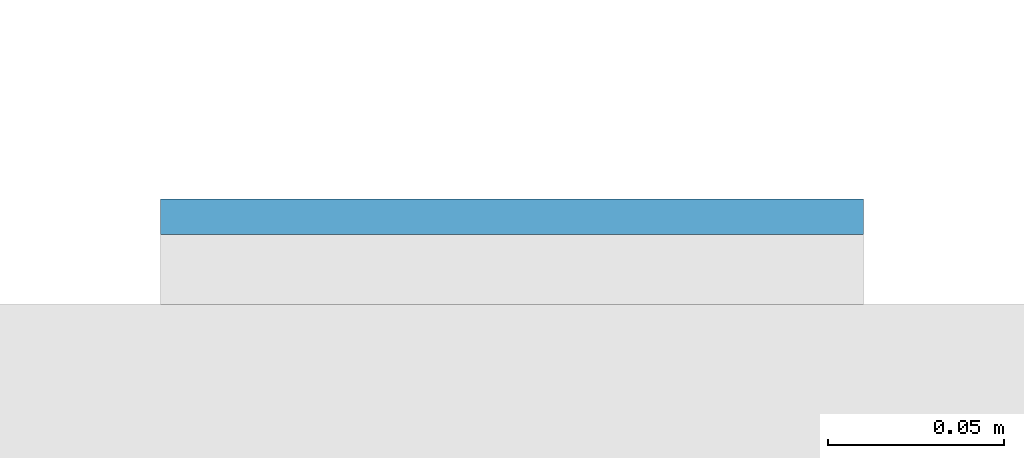
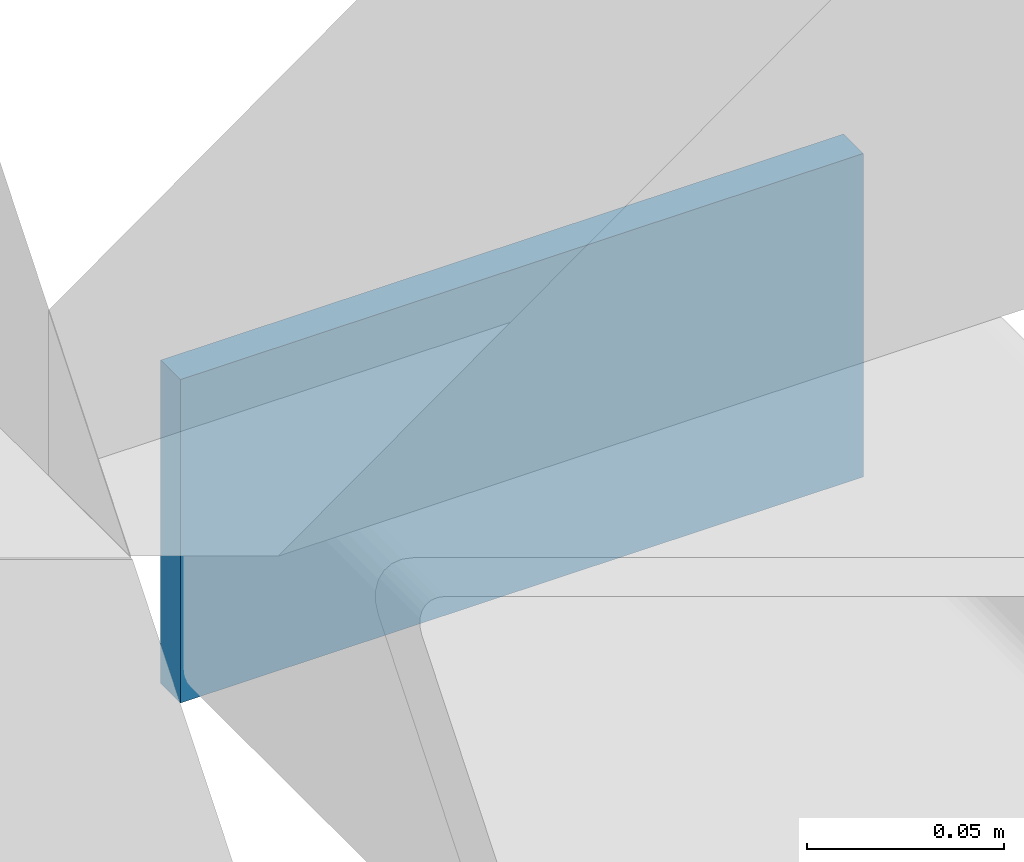
# One storey, part 11 of 20: 1 plate.
"""IFC4 building model written with IfcOpenShell, lengths in metres."""

import ifcopenshell
import ifcopenshell.guid

model = None  # the IFC model being written
_history = None  # IfcOwnerHistory: only IFC2X3 demands one
_inside = {}  # id of a spatial element -> (the spatial element, [elements in it])
_under = {}  # id of a project, library or spatial element -> (it, [spatial elements below it])
_declared = {}  # id of a project -> (the project, [libraries it declares])
_typed = {}  # id of a type object -> (the type object, [elements of that type])
_made_of = {}  # id of a material, layer set ... -> (it, [elements and type objects made of it])


def new_model(schema):
    """Start an empty IFC model of exactly this schema.

    Asked for "IFC4X3", IfcOpenShell would pick the latest addendum, in which some entities
    have other attributes; the version numbers below select the first issue.
    IFC2X3 requires an IfcOwnerHistory on every rooted entity: one is made here for all.
    """
    global model, _history
    if schema == "IFC4X3":
        model = ifcopenshell.file(schema_version=(4, 3, 0, 0))
    else:
        model = ifcopenshell.file(schema=schema)
    _inside.clear()
    _under.clear()
    _declared.clear()
    _typed.clear()
    _made_of.clear()
    _history = None
    if model.schema == "IFC2X3":
        org = make("IfcOrganization", Name="unknown")
        user = make(
            "IfcPersonAndOrganization",
            ThePerson=make("IfcPerson", FamilyName="unknown"),
            TheOrganization=org,
        )
        app = make(
            "IfcApplication",
            ApplicationDeveloper=org,
            Version="unknown",
            ApplicationFullName="unknown",
            ApplicationIdentifier="unknown",
        )
        _history = make(
            "IfcOwnerHistory",
            OwningUser=user,
            OwningApplication=app,
            ChangeAction="ADDED",
            CreationDate=0,
        )
    return model


def make(cls, **values):
    """One entity of the class cls with the attributes given. An attribute that is None is left unset."""
    return model.create_entity(
        cls, **{name: value for name, value in values.items() if value is not None}
    )


def rooted(cls, **values):
    """An entity with a GlobalId (a new one), such as an element, a storey or a relation."""
    return make(cls, GlobalId=ifcopenshell.guid.new(), OwnerHistory=_history, **values)


def si_unit(unit_type, name, prefix=None):
    """IfcSIUnit, for example si_unit("LENGTHUNIT", "METRE", prefix="MILLI")."""
    return make("IfcSIUnit", UnitType=unit_type, Prefix=prefix, Name=name)


def assignment(units):
    """IfcUnitAssignment: the units of a project."""
    return None if units is None else make("IfcUnitAssignment", Units=units)


def point(xyz):
    """IfcCartesianPoint."""
    return None if xyz is None else make("IfcCartesianPoint", Coordinates=xyz)


def direction(xyz):
    """IfcDirection."""
    return None if xyz is None else make("IfcDirection", DirectionRatios=xyz)


def frame(location, z_axis=None, x_axis=None):
    """IfcAxis2Placement3D, a coordinate frame: its origin and axes. An axis left out is left unset."""
    return make(
        "IfcAxis2Placement3D",
        Location=point(location),
        Axis=direction(z_axis),
        RefDirection=direction(x_axis),
    )


def frame_2d(location, x_axis=None):
    """IfcAxis2Placement2D, a coordinate frame in the plane: its origin and x axis."""
    return make(
        "IfcAxis2Placement2D", Location=point(location), RefDirection=direction(x_axis)
    )


def origin():
    """The frame at (0, 0, 0) with its axes left unset."""
    return frame((0.0, 0.0, 0.0))


def origin_2d():
    """The frame at (0, 0) in the plane with its x axis left unset."""
    return frame_2d((0.0, 0.0))


def place(relative_to, where):
    """IfcLocalPlacement: puts the frame where relative to a parent placement (None: the world)."""
    return make(
        "IfcLocalPlacement", PlacementRelTo=relative_to, RelativePlacement=where
    )


def context(
    kind, dimensions, precision=None, world=None, true_north=None, identifier=None
):
    """IfcGeometricRepresentationContext, for example the 3D "Model" context."""
    return make(
        "IfcGeometricRepresentationContext",
        ContextIdentifier=identifier,
        ContextType=kind,
        CoordinateSpaceDimension=dimensions,
        Precision=precision,
        WorldCoordinateSystem=world,
        TrueNorth=true_north,
    )


def subcontext(parent, identifier, kind, view, scale=None):
    """IfcGeometricRepresentationSubContext, for example "Body" below "Model"."""
    return make(
        "IfcGeometricRepresentationSubContext",
        ContextIdentifier=identifier,
        ContextType=kind,
        ParentContext=parent,
        TargetScale=scale,
        TargetView=view,
    )


def project(units=None, contexts=None):
    """IfcProject with its units and contexts."""
    return rooted(
        "IfcProject",
        Name="project",
        RepresentationContexts=contexts,
        UnitsInContext=assignment(units),
    )


def spatial(cls, under=None, at=None, **own):
    """A site, building, storey or space (cls), placed at a placement, below another one or the project."""
    s = rooted(cls, ObjectPlacement=at, **own)
    if under is not None:
        _under.setdefault(under.id(), (under, []))[1].append(s)
    return s


def profile(cls, at=None, kind="AREA", **sizes):
    """A parametric profile (cls). Its sizes go by their IFC names, for example OverallWidth=200.0."""
    return make(cls, ProfileType=kind, Position=at, **sizes)


def rectangle(**sizes):
    """IfcRectangleProfileDef."""
    return profile("IfcRectangleProfileDef", **sizes)


def extrude(swept, where, along, depth):
    """IfcExtrudedAreaSolid: the profile swept, set in the frame where, extruded along a direction by depth."""
    return make(
        "IfcExtrudedAreaSolid",
        SweptArea=swept,
        Position=where,
        ExtrudedDirection=direction(along),
        Depth=depth,
    )


def shape(context_of_items, identifier, shape_type, items):
    """IfcShapeRepresentation: the items that make up one representation, for example the "Body"."""
    return make(
        "IfcShapeRepresentation",
        ContextOfItems=context_of_items,
        RepresentationIdentifier=identifier,
        RepresentationType=shape_type,
        Items=items,
    )


def material(Name=None, Category=None):
    """IfcMaterial."""
    return make("IfcMaterial", Name=Name, Category=Category)


def layer(
    of_material, thickness, ventilated=None, Name=None, Category=None, Priority=None
):
    """IfcMaterialLayer: one layer of a wall or slab, of a material (None: an air gap)."""
    return make(
        "IfcMaterialLayer",
        Material=of_material,
        LayerThickness=thickness,
        IsVentilated=ventilated,
        Name=Name,
        Category=Category,
        Priority=Priority,
    )


def layer_set(layers, Name=None):
    """IfcMaterialLayerSet."""
    return make("IfcMaterialLayerSet", MaterialLayers=layers, LayerSetName=Name)


def made_of(thing, what):
    """Note that an element or type object is made of a material, layer set ...; save() writes the relation."""
    if what is not None:
        _made_of.setdefault(what.id(), (what, []))[1].append(thing)
    return thing


def type_object(cls, material=None, **own):
    """A type object (cls), such as IfcWallType, which elements share."""
    return made_of(rooted(cls, **own), material)


def element(
    cls,
    number,
    at=None,
    inside=None,
    cuts=None,
    type_object=None,
    material=None,
    context=None,
    identifier="Body",
    shape_type=None,
    held_by="IfcProductDefinitionShape",
    body=None,
    shapes=None,
    **own,
):
    """One element of the class cls, such as IfcWall. Its Tag is "e" and its number.

    at: its placement. inside: the storey or other place that contains it. cuts: it is an
    opening in that element (IfcRelVoidsElement). A single representation is given by context,
    identifier, shape_type and body (its items); several are given by shapes. held_by: the class
    of the entity that holds the representations. save() writes the other relations.
    """
    e = rooted(cls, Tag="e%d" % number, ObjectPlacement=at, **own)
    if body is not None:
        shapes = [shape(context, identifier, shape_type, body)]
    if shapes is not None:
        e.Representation = make(held_by, Representations=shapes)
    if inside is not None:
        _inside.setdefault(inside.id(), (inside, []))[1].append(e)
    if cuts is not None:
        rooted(
            "IfcRelVoidsElement", RelatingBuildingElement=cuts, RelatedOpeningElement=e
        )
    if type_object is not None:
        _typed.setdefault(type_object.id(), (type_object, []))[1].append(e)
    return made_of(e, material)


def aggregate(whole, parts):
    """IfcRelAggregates: a whole, such as a stair, and the parts it consists of."""
    return rooted("IfcRelAggregates", RelatingObject=whole, RelatedObjects=parts)


def save(model, path):
    """Write the relations noted so far, then the file.

    IfcRelAggregates (storeys below a building ...), IfcRelContainedInSpatialStructure (elements
    in a storey), IfcRelDefinesByType, IfcRelAssociatesMaterial and IfcRelDeclares: one each for
    every whole, place, type object, material and project.
    """
    for whole, parts in _under.values():
        aggregate(whole, parts)
    for where, things in _inside.values():
        rooted(
            "IfcRelContainedInSpatialStructure",
            RelatedElements=things,
            RelatingStructure=where,
        )
    for kind, things in _typed.values():
        rooted("IfcRelDefinesByType", RelatedObjects=things, RelatingType=kind)
    for what, things in _made_of.values():
        rooted("IfcRelAssociatesMaterial", RelatedObjects=things, RelatingMaterial=what)
    for by, libraries in _declared.values():
        rooted("IfcRelDeclares", RelatingContext=by, RelatedDefinitions=libraries)
    model.write(path)


model = new_model("IFC4")

# Units and contexts
model_context = context("Model", 3, precision=1e-05, world=origin(), true_north=direction((0.0, 1.0)))
body_context = subcontext(model_context, "Body", "Model", "MODEL_VIEW")
ifc_project = project(units=[si_unit("LENGTHUNIT", "METRE"), si_unit("AREAUNIT", "SQUARE_METRE"), si_unit("VOLUMEUNIT", "CUBIC_METRE"), si_unit("PLANEANGLEUNIT", "RADIAN"), si_unit("MASSUNIT", "GRAM", prefix="KILO")], contexts=[model_context])

# Site, building, storey
site_placement = place(None, origin())
site = spatial("IfcSite", under=ifc_project, at=site_placement, CompositionType="ELEMENT")
building_placement = place(site_placement, origin())
building = spatial("IfcBuilding", under=site, at=building_placement, Name="Cleftline Residences", CompositionType="ELEMENT")
storey_placement = place(building_placement, frame((0.0, 0.0, 107.0)))
storey = spatial("IfcBuildingStorey", under=building, at=storey_placement, Name="L27", CompositionType="ELEMENT", Elevation=107.0)

# Plate
ifc_material = material(Name="Steel S355, hot-dip galvanised", Category="steel")
ifc_layer = layer(ifc_material, 0.010009765625)
ifc_layer_set = layer_set([ifc_layer], Name="BAGUETTE CARRIER END PLATE 200X100X10")
plate_type = type_object("IfcPlateType", Name="BAGUETTE CARRIER END PLATE 200X100X10", PredefinedType="USERDEFINED", material=ifc_layer_set)
plate_placement = place(storey_placement, frame((66.85009765625, 44.304931640625, -0.10009765625), z_axis=(0.0, 0.0, 1.0), x_axis=(1.0, 0.0, 0.0)))
element("IfcPlate", 1, at=plate_placement, inside=storey, type_object=plate_type, Name="Baguette carrier end plate", ObjectType="BAGUETTE CARRIER END PLATE", PredefinedType="USERDEFINED", context=body_context, shape_type="SweptSolid", body=[
    extrude(rectangle(XDim=0.199951171875, YDim=0.010009765625, at=origin_2d()), origin(), (0.0, 0.0, 1.0), 0.10009765625),
])

save(model, "model.ifc")
